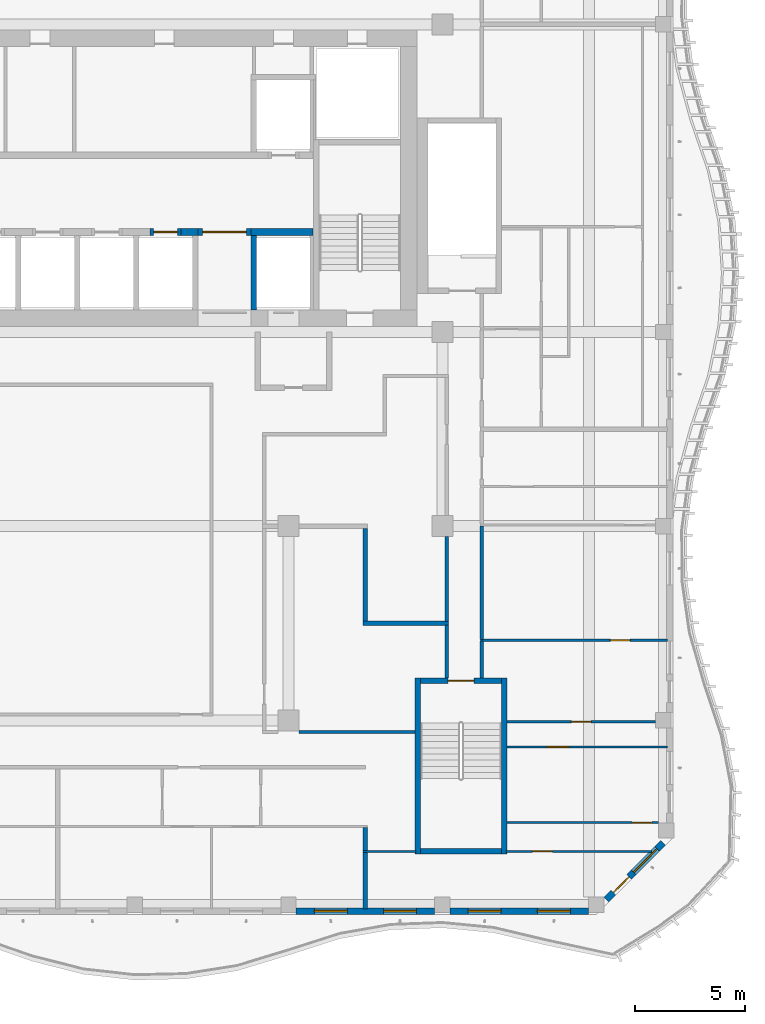
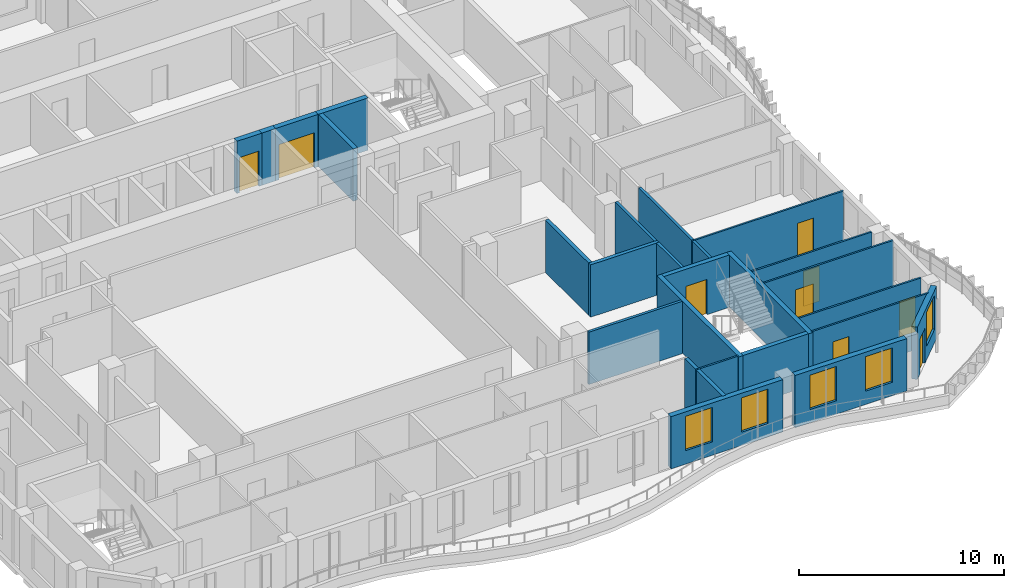
# One storey, part 5 of 18: 27 walls, 9 doors, 5 windows, 14 openings.
"""IFC4 building model written with IfcOpenShell, lengths in metres."""

from ifc_helpers import new_model, si_unit, direction, frame, frame_2d, origin, place, context, subcontext, project, spatial, rectangle, extrude, source, transform, mapped, material, layer, layer_set, type_object, element, fill, save


model = new_model("IFC4")

# Units and contexts
model_context = context("Model", 3, precision=1e-05, world=origin(), true_north=direction((0.0, 1.0)))
body_context = subcontext(model_context, "Body", "Model", "MODEL_VIEW")
ifc_project = project(units=[si_unit("LENGTHUNIT", "METRE"), si_unit("AREAUNIT", "SQUARE_METRE"), si_unit("VOLUMEUNIT", "CUBIC_METRE"), si_unit("PLANEANGLEUNIT", "RADIAN"), si_unit("MASSUNIT", "GRAM", prefix="KILO")], contexts=[model_context])

# Site, building, storey
site_placement = place(None, origin())
site = spatial("IfcSite", under=ifc_project, at=site_placement, CompositionType="ELEMENT")
building_placement = place(site_placement, origin())
building = spatial("IfcBuilding", under=site, at=building_placement, Name="Kilnfold Tower and Market Hall", CompositionType="ELEMENT")
storey_placement = place(building_placement, frame((0.0, 0.0, 256.0)))
storey = spatial("IfcBuildingStorey", under=building, at=storey_placement, Name="L62", CompositionType="ELEMENT", Elevation=256.0)

# Walls
ifc_material_1 = material(Name="Gypsum board on steel studs", Category="steel")
ifc_layer_1 = layer(ifc_material_1, 0.14990234375)
ifc_layer_set_1 = layer_set([ifc_layer_1], Name="Gypsum board on steel studs")
wall_type_1 = type_object("IfcWallType", Name="WALL CORRIDOR 150", PredefinedType="PARTITIONING", material=ifc_layer_set_1)
wall_1_placement = place(storey_placement, frame((20.800048828125, -7.75, 0.0), z_axis=(0.0, 0.0, 1.0), x_axis=(0.0, 1.0, 0.0)))
element("IfcWall", 1, at=wall_1_placement, inside=storey, type_object=wall_type_1, Name="Partition LY38.12", PredefinedType="PARTITIONING", context=body_context, shape_type="SweptSolid", body=[
    extrude(rectangle(XDim=1.68603515625, YDim=0.14990234375, at=frame_2d((0.843017578125, 0.0))), origin(), (0.0, 0.0, 1.0), 3.1201171875),
])
wall_2_placement = place(storey_placement, frame((20.800048828125, -5.98388671875, 0.0), z_axis=(0.0, 0.0, 1.0), x_axis=(0.0, 1.0, 0.0)))
element("IfcWall", 2, at=wall_2_placement, inside=storey, type_object=wall_type_1, Name="Partition LY38.13", PredefinedType="PARTITIONING", context=body_context, shape_type="SweptSolid", body=[
    extrude(rectangle(XDim=5.159912109375, YDim=0.14990234375, at=frame_2d((2.580078125, 0.0))), origin(), (0.0, 0.0, 1.0), 3.1201171875),
])
wall_3_placement = place(storey_placement, frame((19.199951171875, -7.75, 0.0), z_axis=(0.0, 0.0, 1.0), x_axis=(0.0, 1.0, 0.0)))
element("IfcWall", 3, at=wall_3_placement, inside=storey, type_object=wall_type_1, Name="Partition LY38.40", PredefinedType="PARTITIONING", context=body_context, shape_type="SweptSolid", body=[
    extrude(rectangle(XDim=2.409912109375, YDim=0.14990234375, at=frame_2d((1.205078125, 0.0))), origin(), (0.0, 0.0, 1.0), 3.1201171875),
])
wall_4_placement = place(storey_placement, frame((12.47509765625, -10.199951171875, 0.0), z_axis=(0.0, 0.0, 1.0), x_axis=(1.0, 0.0, 0.0)))
element("IfcWall", 4, at=wall_4_placement, inside=storey, type_object=wall_type_1, Name="Partition LY38.42", PredefinedType="PARTITIONING", context=body_context, shape_type="SweptSolid", body=[
    extrude(rectangle(XDim=5.27490234375, YDim=0.14990234375, at=frame_2d((2.637451171875, 0.0))), origin(), (0.0, 0.0, 1.0), 3.1201171875),
])
wall_5_placement = place(storey_placement, frame((19.199951171875, -5.159912109375, 0.0), z_axis=(0.0, 0.0, 1.0), x_axis=(0.0, 1.0, 0.0)))
element("IfcWall", 5, at=wall_5_placement, inside=storey, type_object=wall_type_1, Name="Partition LY38.44", PredefinedType="PARTITIONING", context=body_context, shape_type="SweptSolid", body=[
    extrude(rectangle(XDim=3.851806640625, YDim=0.14990234375, at=frame_2d((1.92578125, 0.0))), origin(), (0.0, 0.0, 1.0), 3.1201171875),
])

# Wall, opening, door
ifc_material_2 = material(Name="Gypsum board on steel studs", Category="steel")
ifc_layer_2 = layer(ifc_material_2, 0.10009765625)
ifc_layer_set_2 = layer_set([ifc_layer_2], Name="Gypsum board on steel studs")
wall_type_2 = type_object("IfcWallType", Name="WALL PARTITION 100", PredefinedType="PARTITIONING", material=ifc_layer_set_2)
wall_6_placement = place(storey_placement, frame((21.89990234375, -15.6298828125, 0.0), z_axis=(0.0, 0.0, 1.0), x_axis=(1.0, 0.0, 0.0)))
wall_6 = element("IfcWall", 6, at=wall_6_placement, inside=storey, type_object=wall_type_2, Name="Partition LY38.74", PredefinedType="PARTITIONING", context=body_context, shape_type="SweptSolid", body=[
    extrude(rectangle(XDim=6.6162109375, YDim=0.10009765625, at=frame_2d((3.30810546875, 0.0))), origin(), (0.0, 0.0, 1.0), 3.1201171875),
])
opening_1_placement = place(wall_6_placement, frame((1.202880859375, 0.0, 0.0)))
opening_1 = element("IfcOpeningElement", 7, at=opening_1_placement, cuts=wall_6, Name="Opening D2", PredefinedType="OPENING", context=body_context, shape_type="SweptSolid", body=[
    extrude(rectangle(XDim=0.89990234375, YDim=2.10009765625, at=frame_2d((0.449951171875, 1.050048828125))), frame((0.0, 0.06005859375, 0.0), z_axis=(0.0, -1.0, 0.0), x_axis=(1.0, 0.0, 0.0)), (0.0, 0.0, 1.0), 0.1201171875),
])
ifc_material_3 = material(Name="Timber veneer door leaf in steel frame", Category="steel")
door_type_1 = type_object("IfcDoorType", Name="DOOR ROOM 900 X2100", OperationType="NOTDEFINED", PredefinedType="DOOR", material=ifc_material_3)
door_1_placement = place(opening_1_placement, origin())
door_1 = element("IfcDoor", 8, at=door_1_placement, inside=storey, type_object=door_type_1, Name="Door D2", OperationType="SINGLE_SWING_LEFT", OverallHeight=2.10009765625, OverallWidth=0.89990234375, PredefinedType="DOOR", context=body_context, shape_type="SweptSolid", body=[
    extrude(rectangle(XDim=0.89990234375, YDim=2.10009765625, at=frame_2d((0.449951171875, 1.050048828125))), frame((0.0, 0.02490234375, 0.0), z_axis=(0.0, -1.0, 0.0), x_axis=(1.0, 0.0, 0.0)), (0.0, 0.0, 1.0), 0.050048828125),
])
fill(opening_1, door_1)

# Wall
wall_7_placement = place(storey_placement, frame((15.39990234375, -15.6298828125, 0.0), z_axis=(0.0, 0.0, 1.0), x_axis=(1.0, 0.0, 0.0)))
element("IfcWall", 9, at=wall_7_placement, inside=storey, type_object=wall_type_2, Name="Partition LY38.75", PredefinedType="PARTITIONING", context=body_context, shape_type="SweptSolid", body=[
    extrude(rectangle(XDim=2.400146484375, YDim=0.10009765625, at=frame_2d((1.2001953125, 0.0))), origin(), (0.0, 0.0, 1.0), 3.1201171875),
])

# Wall, opening, door
wall_8_placement = place(storey_placement, frame((28.83203125, -14.320068359375, 0.0), z_axis=(0.0, 0.0, 1.0), x_axis=(-1.0, 0.0, 0.0)))
wall_8 = element("IfcWall", 10, at=wall_8_placement, inside=storey, type_object=wall_type_2, Name="Partition LY38.76", PredefinedType="PARTITIONING", context=body_context, shape_type="SweptSolid", body=[
    extrude(rectangle(XDim=6.882080078125, YDim=0.10009765625, at=frame_2d((3.44091796875, 0.0))), origin(), (0.0, 0.0, 1.0), 3.1201171875),
])
opening_2_placement = place(wall_8_placement, frame((0.301025390625, 0.0, 0.0)))
opening_2 = element("IfcOpeningElement", 11, at=opening_2_placement, cuts=wall_8, Name="Opening D2", PredefinedType="OPENING", context=body_context, shape_type="SweptSolid", body=[
    extrude(rectangle(XDim=0.89990234375, YDim=2.10009765625, at=frame_2d((0.449951171875, 1.050048828125))), frame((0.0, 0.06005859375, 0.0), z_axis=(0.0, -1.0, 0.0), x_axis=(1.0, 0.0, 0.0)), (0.0, 0.0, 1.0), 0.1201171875),
])
door_2_placement = place(opening_2_placement, origin())
door_2 = element("IfcDoor", 12, at=door_2_placement, inside=storey, type_object=door_type_1, Name="Door D2", OperationType="SINGLE_SWING_LEFT", OverallHeight=2.10009765625, OverallWidth=0.89990234375, PredefinedType="DOOR", context=body_context, shape_type="SweptSolid", body=[
    extrude(rectangle(XDim=0.89990234375, YDim=2.10009765625, at=frame_2d((0.449951171875, 1.050048828125))), frame((0.0, 0.02490234375, 0.0), z_axis=(0.0, -1.0, 0.0), x_axis=(1.0, 0.0, 0.0)), (0.0, 0.0, 1.0), 0.050048828125),
])
fill(opening_2, door_2)

wall_9_placement = place(storey_placement, frame((29.25, -10.882080078125, 0.0), z_axis=(0.0, 0.0, 1.0), x_axis=(-1.0, 0.0, 0.0)))
wall_9 = element("IfcWall", 13, at=wall_9_placement, inside=storey, type_object=wall_type_2, Name="Partition LY38.77", PredefinedType="PARTITIONING", context=body_context, shape_type="SweptSolid", body=[
    extrude(rectangle(XDim=7.300048828125, YDim=0.10009765625, at=frame_2d((3.64990234375, 0.0))), origin(), (0.0, 0.0, 1.0), 3.1201171875),
])
opening_3_placement = place(wall_9_placement, frame((4.5, 0.0, 0.0)))
opening_3 = element("IfcOpeningElement", 14, at=opening_3_placement, cuts=wall_9, Name="Opening D1", PredefinedType="OPENING", context=body_context, shape_type="SweptSolid", body=[
    extrude(rectangle(XDim=1.0, YDim=2.10009765625, at=frame_2d((0.5, 1.050048828125))), frame((0.0, 0.06005859375, 0.0), z_axis=(0.0, -1.0, 0.0), x_axis=(1.0, 0.0, 0.0)), (0.0, 0.0, 1.0), 0.1201171875),
])
ifc_material_4 = material(Name="Timber veneer door leaf in steel frame", Category="steel")
door_type_2 = type_object("IfcDoorType", Name="DOOR ENTRY 1000 X2100", OperationType="NOTDEFINED", PredefinedType="DOOR", material=ifc_material_4)
door_3_placement = place(opening_3_placement, origin())
door_3 = element("IfcDoor", 15, at=door_3_placement, inside=storey, type_object=door_type_2, Name="Door D1", OperationType="SINGLE_SWING_LEFT", OverallHeight=2.10009765625, OverallWidth=1.0, PredefinedType="DOOR", context=body_context, shape_type="SweptSolid", body=[
    extrude(rectangle(XDim=1.0, YDim=2.10009765625, at=frame_2d((0.5, 1.050048828125))), frame((0.0, 0.02490234375, 0.0), z_axis=(0.0, -1.0, 0.0), x_axis=(1.0, 0.0, 0.0)), (0.0, 0.0, 1.0), 0.050048828125),
])
fill(opening_3, door_3)

wall_10_placement = place(storey_placement, frame((28.699951171875, -9.735107421875, 0.0), z_axis=(0.0, 0.0, 1.0), x_axis=(-1.0, 0.0, 0.0)))
wall_10 = element("IfcWall", 16, at=wall_10_placement, inside=storey, type_object=wall_type_2, Name="Partition LY38.78", PredefinedType="PARTITIONING", context=body_context, shape_type="SweptSolid", body=[
    extrude(rectangle(XDim=6.75, YDim=0.10009765625, at=frame_2d((3.375, 0.0))), origin(), (0.0, 0.0, 1.0), 3.1201171875),
])
opening_4_placement = place(wall_10_placement, frame((2.925048828125, 0.0, 0.0)))
opening_4 = element("IfcOpeningElement", 17, at=opening_4_placement, cuts=wall_10, Name="Opening D2", PredefinedType="OPENING", context=body_context, shape_type="SweptSolid", body=[
    extrude(rectangle(XDim=0.89990234375, YDim=2.10009765625, at=frame_2d((0.449951171875, 1.050048828125))), frame((0.0, 0.06005859375, 0.0), z_axis=(0.0, -1.0, 0.0), x_axis=(1.0, 0.0, 0.0)), (0.0, 0.0, 1.0), 0.1201171875),
])
door_4_placement = place(opening_4_placement, origin())
door_4 = element("IfcDoor", 18, at=door_4_placement, inside=storey, type_object=door_type_1, Name="Door D2", OperationType="SINGLE_SWING_LEFT", OverallHeight=2.10009765625, OverallWidth=0.89990234375, PredefinedType="DOOR", context=body_context, shape_type="SweptSolid", body=[
    extrude(rectangle(XDim=0.89990234375, YDim=2.10009765625, at=frame_2d((0.449951171875, 1.050048828125))), frame((0.0, 0.02490234375, 0.0), z_axis=(0.0, -1.0, 0.0), x_axis=(1.0, 0.0, 0.0)), (0.0, 0.0, 1.0), 0.050048828125),
])
fill(opening_4, door_4)

wall_11_placement = place(storey_placement, frame((29.25, -6.02392578125, 0.0), z_axis=(0.0, 0.0, 1.0), x_axis=(-1.0, 0.0, 0.0)))
wall_11 = element("IfcWall", 19, at=wall_11_placement, inside=storey, type_object=wall_type_2, Name="Partition LY38.79", PredefinedType="PARTITIONING", context=body_context, shape_type="SweptSolid", body=[
    extrude(rectangle(XDim=8.52294921875, YDim=0.10009765625, at=frame_2d((4.261474609375, 0.0))), origin(), (0.0, 0.0, 1.0), 3.1201171875),
])
opening_5_placement = place(wall_11_placement, frame((1.705078125, 0.0, 0.0)))
opening_5 = element("IfcOpeningElement", 20, at=opening_5_placement, cuts=wall_11, Name="Opening D2", PredefinedType="OPENING", context=body_context, shape_type="SweptSolid", body=[
    extrude(rectangle(XDim=0.89990234375, YDim=2.10009765625, at=frame_2d((0.449951171875, 1.050048828125))), frame((0.0, 0.06005859375, 0.0), z_axis=(0.0, -1.0, 0.0), x_axis=(1.0, 0.0, 0.0)), (0.0, 0.0, 1.0), 0.1201171875),
])
door_5_placement = place(opening_5_placement, origin())
door_5 = element("IfcDoor", 21, at=door_5_placement, inside=storey, type_object=door_type_1, Name="Door D2", OperationType="SINGLE_SWING_LEFT", OverallHeight=2.10009765625, OverallWidth=0.89990234375, PredefinedType="DOOR", context=body_context, shape_type="SweptSolid", body=[
    extrude(rectangle(XDim=0.89990234375, YDim=2.10009765625, at=frame_2d((0.449951171875, 1.050048828125))), frame((0.0, 0.02490234375, 0.0), z_axis=(0.0, -1.0, 0.0), x_axis=(1.0, 0.0, 0.0)), (0.0, 0.0, 1.0), 0.050048828125),
])
fill(opening_5, door_5)

# Walls
ifc_material_5 = material(Name="Gypsum board on steel studs", Category="steel")
ifc_layer_3 = layer(ifc_material_5, 0.199951171875)
ifc_layer_set_3 = layer_set([ifc_layer_3], Name="Gypsum board on steel studs")
wall_type_3 = type_object("IfcWallType", Name="WALL PARTY 200", PredefinedType="PARTITIONING", material=ifc_layer_set_3)
wall_12_placement = place(storey_placement, frame((15.5, -18.25, 0.0), z_axis=(0.0, 0.0, 1.0), x_axis=(0.0, 1.0, 0.0)))
element("IfcWall", 22, at=wall_12_placement, inside=storey, type_object=wall_type_3, Name="Partition LY38.72", PredefinedType="PARTITIONING", context=body_context, shape_type="SweptSolid", body=[
    extrude(rectangle(XDim=2.580078125, YDim=0.199951171875, at=frame_2d((1.2900390625, 0.0))), origin(), (0.0, 0.0, 1.0), 3.1201171875),
])
wall_13_placement = place(storey_placement, frame((15.5, -15.590087890625, 0.0), z_axis=(0.0, 0.0, 1.0), x_axis=(0.0, 1.0, 0.0)))
element("IfcWall", 23, at=wall_13_placement, inside=storey, type_object=wall_type_3, Name="Partition LY38.73", PredefinedType="PARTITIONING", context=body_context, shape_type="SweptSolid", body=[
    extrude(rectangle(XDim=1.0380859375, YDim=0.199951171875, at=frame_2d((0.51904296875, 0.0))), origin(), (0.0, 0.0, 1.0), 3.1201171875),
])
wall_14_placement = place(storey_placement, frame((15.5, -5.14990234375, 0.0), z_axis=(0.0, 0.0, 1.0), x_axis=(0.0, 1.0, 0.0)))
element("IfcWall", 24, at=wall_14_placement, inside=storey, type_object=wall_type_3, Name="Partition LY38.111", PredefinedType="PARTITIONING", context=body_context, shape_type="SweptSolid", body=[
    extrude(rectangle(XDim=4.216796875, YDim=0.199951171875, at=frame_2d((2.1083984375, 0.0))), origin(), (0.0, 0.0, 1.0), 3.1201171875),
])
wall_15_placement = place(storey_placement, frame((15.39990234375, -5.25, 0.0), z_axis=(0.0, 0.0, 1.0), x_axis=(1.0, 0.0, 0.0)))
element("IfcWall", 25, at=wall_15_placement, inside=storey, type_object=wall_type_3, Name="Partition LY38.112", PredefinedType="PARTITIONING", context=body_context, shape_type="SweptSolid", body=[
    extrude(rectangle(XDim=3.873046875, YDim=0.199951171875, at=frame_2d((1.9365234375, 0.0))), origin(), (0.0, 0.0, 1.0), 3.1201171875),
])
ifc_material_6 = material(Name="Concrete C60", Category="concrete")
ifc_layer_4 = layer(ifc_material_6, 0.25)
ifc_layer_set_4 = layer_set([ifc_layer_4], Name="Concrete C60")
wall_type_4 = type_object("IfcWallType", Name="CORE WALL 250 C60", PredefinedType="SHEAR", material=ifc_layer_set_4)
shared_shape_1 = source(origin(), body_context, "Body", "SweptSolid", [
    extrude(rectangle(XDim=3.699951171875, YDim=0.25, at=frame_2d((1.85009765625, 0.0))), origin(), (0.0, 0.0, 1.0), 3.1201171875),
])
wall_16_placement = place(storey_placement, frame((18.0, -15.625, 0.0), z_axis=(0.0, 0.0, 1.0), x_axis=(1.0, 0.0, 0.0)))
element("IfcWall", 26, at=wall_16_placement, inside=storey, type_object=wall_type_4, Name="Stair enclosure ST4", PredefinedType="SHEAR", context=body_context, shape_type="MappedRepresentation", body=[
    mapped(shared_shape_1, transform((0.0, 0.0, 0.0))),
])

# Wall, opening, door
wall_17_placement = place(storey_placement, frame((18.0, -7.875, 0.0), z_axis=(0.0, 0.0, 1.0), x_axis=(1.0, 0.0, 0.0)))
wall_17 = element("IfcWall", 27, at=wall_17_placement, inside=storey, type_object=wall_type_4, Name="Stair enclosure ST4", PredefinedType="SHEAR", context=body_context, shape_type="MappedRepresentation", body=[
    mapped(shared_shape_1, transform((0.0, 0.0, 0.0))),
])
opening_6_placement = place(wall_17_placement, frame((1.25, 0.0, 0.0)))
opening_6 = element("IfcOpeningElement", 28, at=opening_6_placement, cuts=wall_17, Name="Opening SD1", PredefinedType="OPENING", context=body_context, shape_type="SweptSolid", body=[
    extrude(rectangle(XDim=1.199951171875, YDim=2.10009765625, at=frame_2d((0.60009765625, 1.050048828125))), frame((0.0, 0.135009765625, 0.0), z_axis=(0.0, -1.0, 0.0), x_axis=(1.0, 0.0, 0.0)), (0.0, 0.0, 1.0), 0.27001953125),
])
ifc_material_7 = material(Name="Steel door set with fire-resisting leaf", Category="steel")
door_type_3 = type_object("IfcDoorType", Name="STAIR FLOOR DOOR 1200X2100", OperationType="NOTDEFINED", PredefinedType="DOOR", material=ifc_material_7)
door_6_placement = place(opening_6_placement, origin())
door_6 = element("IfcDoor", 29, at=door_6_placement, inside=storey, type_object=door_type_3, Name="Exit stair ST4 door", OperationType="DOUBLE_DOOR_SINGLE_SWING", OverallHeight=2.10009765625, OverallWidth=1.199951171875, PredefinedType="DOOR", context=body_context, shape_type="SweptSolid", body=[
    extrude(rectangle(XDim=1.199951171875, YDim=2.10009765625, at=frame_2d((0.60009765625, 1.050048828125))), frame((0.0, 0.02490234375, 0.0), z_axis=(0.0, -1.0, 0.0), x_axis=(1.0, 0.0, 0.0)), (0.0, 0.0, 1.0), 0.050048828125),
])
fill(opening_6, door_6)

# Walls
shared_shape_2 = source(origin(), body_context, "Body", "SweptSolid", [
    extrude(rectangle(XDim=8.0, YDim=0.25, at=frame_2d((4.0, 0.0))), origin(), (0.0, 0.0, 1.0), 3.1201171875),
])
for number, where, z_axis, x_axis, name in (
    (30, (17.875, -15.75, 0.0), (0.0, 0.0, 1.0), (0.0, 1.0, 0.0), "Stair enclosure ST4"),
    (31, (21.824951171875, -15.75, 0.0), (0.0, 0.0, 1.0), (0.0, 1.0, 0.0), "Stair enclosure ST4"),
):
    element("IfcWall", number, at=place(storey_placement, frame(where, z_axis=z_axis, x_axis=x_axis)), inside=storey, type_object=wall_type_4, Name=name, PredefinedType="SHEAR", context=body_context, shape_type="MappedRepresentation", body=[
        mapped(shared_shape_2, transform((0.0, 0.0, 0.0))),
    ])
ifc_material_8 = material(Name="Concrete C60", Category="concrete")
ifc_layer_5 = layer(ifc_material_8, 0.300048828125)
ifc_layer_set_5 = layer_set([ifc_layer_5], Name="Concrete C60")
wall_type_5 = type_object("IfcWallType", Name="CORE WALL 300 C60", PredefinedType="SHEAR", material=ifc_layer_set_5)
shared_shape_3 = source(origin(), body_context, "Body", "SweptSolid", [
    extrude(rectangle(XDim=0.77978515625, YDim=0.300048828125, at=frame_2d((0.389892578125, 0.0))), origin(), (0.0, 0.0, 1.0), 3.1201171875),
])
wall_18_placement = place(storey_placement, frame((7.110107421875, 12.550048828125, 0.0), z_axis=(0.0, 0.0, 1.0), x_axis=(1.0, 0.0, 0.0)))
element("IfcWall", 32, at=wall_18_placement, inside=storey, type_object=wall_type_5, Name="Core spine wall", PredefinedType="SHEAR", context=body_context, shape_type="MappedRepresentation", body=[
    mapped(shared_shape_3, transform((0.0, 0.0, 0.0))),
])
shared_shape_4 = source(origin(), body_context, "Body", "SweptSolid", [
    extrude(rectangle(XDim=2.820068359375, YDim=0.300048828125, at=frame_2d((1.41015625, 0.0))), origin(), (0.0, 0.0, 1.0), 3.1201171875),
])
wall_19_placement = place(storey_placement, frame((10.2900390625, 12.550048828125, 0.0), z_axis=(0.0, 0.0, 1.0), x_axis=(1.0, 0.0, 0.0)))
element("IfcWall", 33, at=wall_19_placement, inside=storey, type_object=wall_type_5, Name="Core spine wall", PredefinedType="SHEAR", context=body_context, shape_type="MappedRepresentation", body=[
    mapped(shared_shape_4, transform((0.0, 0.0, 0.0))),
])

# Wall, openings, windows
ifc_material_9 = material(Name="Precast concrete C50/60", Category="concrete")
ifc_layer_6 = layer(ifc_material_9, 0.300048828125)
ifc_layer_set_6 = layer_set([ifc_layer_6], Name="Precast concrete C50/60")
wall_type_6 = type_object("IfcWallType", Name="PRECAST WALL 300", PredefinedType="SOLIDWALL", material=ifc_layer_set_6)
shared_shape_5 = source(origin(), body_context, "Body", "SweptSolid", [
    extrude(rectangle(XDim=6.2998046875, YDim=0.300048828125, at=frame_2d((3.14990234375, 0.0))), origin(), (0.0, 0.0, 1.0), 3.1201171875),
])
wall_20_placement = place(storey_placement, frame((12.35009765625, -18.35009765625, 0.0), z_axis=(0.0, 0.0, 1.0), x_axis=(1.0, 0.0, 0.0)))
wall_20 = element("IfcWall", 34, at=wall_20_placement, inside=storey, type_object=wall_type_6, Name="External wall L62 S", PredefinedType="SOLIDWALL", context=body_context, shape_type="MappedRepresentation", body=[
    mapped(shared_shape_5, transform((0.0, 0.0, 0.0))),
])
opening_7_placement = place(wall_20_placement, frame((0.824951171875, 0.0, 0.800048828125)))
opening_7 = element("IfcOpeningElement", 35, at=opening_7_placement, cuts=wall_20, Name="Opening W5", PredefinedType="OPENING", context=body_context, shape_type="SweptSolid", body=[
    extrude(rectangle(XDim=1.5, YDim=2.050048828125, at=frame_2d((0.75, 1.02490234375))), frame((0.0, 0.16015625, 0.0), z_axis=(0.0, -1.0, 0.0), x_axis=(1.0, 0.0, 0.0)), (0.0, 0.0, 1.0), 0.320068359375),
])
opening_8_placement = place(wall_20_placement, frame((3.97509765625, 0.0, 0.800048828125)))
opening_8 = element("IfcOpeningElement", 36, at=opening_8_placement, cuts=wall_20, Name="Opening W5", PredefinedType="OPENING", context=body_context, shape_type="SweptSolid", body=[
    extrude(rectangle(XDim=1.5, YDim=2.050048828125, at=frame_2d((0.75, 1.02490234375))), frame((0.0, 0.16015625, 0.0), z_axis=(0.0, -1.0, 0.0), x_axis=(1.0, 0.0, 0.0)), (0.0, 0.0, 1.0), 0.320068359375),
])
ifc_material_10 = material(Name="Aluminium frame and double glazing", Category="aluminium")
window_type = type_object("IfcWindowType", Name="WINDOW W5 1500X2050", PartitioningType="SINGLE_PANEL", PredefinedType="WINDOW", material=ifc_material_10)
window_1_placement = place(opening_7_placement, origin())
window_1 = element("IfcWindow", 37, at=window_1_placement, inside=storey, type_object=window_type, Name="Window W5 L62 S-1", OverallHeight=2.050048828125, OverallWidth=1.5, PartitioningType="SINGLE_PANEL", PredefinedType="WINDOW", context=body_context, shape_type="SweptSolid", body=[
    extrude(rectangle(XDim=1.5, YDim=2.050048828125, at=frame_2d((0.75, 1.02490234375))), frame((0.0, 0.030029296875, 0.0), z_axis=(0.0, -1.0, 0.0), x_axis=(1.0, 0.0, 0.0)), (0.0, 0.0, 1.0), 0.06005859375),
])
fill(opening_7, window_1)
window_2_placement = place(opening_8_placement, origin())
window_2 = element("IfcWindow", 38, at=window_2_placement, inside=storey, type_object=window_type, Name="Window W5 L62 S-2", OverallHeight=2.050048828125, OverallWidth=1.5, PartitioningType="SINGLE_PANEL", PredefinedType="WINDOW", context=body_context, shape_type="SweptSolid", body=[
    extrude(rectangle(XDim=1.5, YDim=2.050048828125, at=frame_2d((0.75, 1.02490234375))), frame((0.0, 0.030029296875, 0.0), z_axis=(0.0, -1.0, 0.0), x_axis=(1.0, 0.0, 0.0)), (0.0, 0.0, 1.0), 0.06005859375),
])
fill(opening_8, window_2)

wall_21_placement = place(storey_placement, frame((19.35009765625, -18.35009765625, 0.0), z_axis=(0.0, 0.0, 1.0), x_axis=(1.0, 0.0, 0.0)))
wall_21 = element("IfcWall", 39, at=wall_21_placement, inside=storey, type_object=wall_type_6, Name="External wall L62 S", PredefinedType="SOLIDWALL", context=body_context, shape_type="MappedRepresentation", body=[
    mapped(shared_shape_5, transform((0.0, 0.0, 0.0))),
])
opening_9_placement = place(wall_21_placement, frame((0.824951171875, 0.0, 0.800048828125)))
opening_9 = element("IfcOpeningElement", 40, at=opening_9_placement, cuts=wall_21, Name="Opening W5", PredefinedType="OPENING", context=body_context, shape_type="SweptSolid", body=[
    extrude(rectangle(XDim=1.5, YDim=2.050048828125, at=frame_2d((0.75, 1.02490234375))), frame((0.0, 0.16015625, 0.0), z_axis=(0.0, -1.0, 0.0), x_axis=(1.0, 0.0, 0.0)), (0.0, 0.0, 1.0), 0.320068359375),
])
opening_10_placement = place(wall_21_placement, frame((3.97509765625, 0.0, 0.800048828125)))
opening_10 = element("IfcOpeningElement", 41, at=opening_10_placement, cuts=wall_21, Name="Opening W5", PredefinedType="OPENING", context=body_context, shape_type="SweptSolid", body=[
    extrude(rectangle(XDim=1.5, YDim=2.050048828125, at=frame_2d((0.75, 1.02490234375))), frame((0.0, 0.16015625, 0.0), z_axis=(0.0, -1.0, 0.0), x_axis=(1.0, 0.0, 0.0)), (0.0, 0.0, 1.0), 0.320068359375),
])
window_3_placement = place(opening_9_placement, origin())
window_3 = element("IfcWindow", 42, at=window_3_placement, inside=storey, type_object=window_type, Name="Window W5 L62 S-1", OverallHeight=2.050048828125, OverallWidth=1.5, PartitioningType="SINGLE_PANEL", PredefinedType="WINDOW", context=body_context, shape_type="SweptSolid", body=[
    extrude(rectangle(XDim=1.5, YDim=2.050048828125, at=frame_2d((0.75, 1.02490234375))), frame((0.0, 0.030029296875, 0.0), z_axis=(0.0, -1.0, 0.0), x_axis=(1.0, 0.0, 0.0)), (0.0, 0.0, 1.0), 0.06005859375),
])
fill(opening_9, window_3)
window_4_placement = place(opening_10_placement, origin())
window_4 = element("IfcWindow", 43, at=window_4_placement, inside=storey, type_object=window_type, Name="Window W5 L62 S-2", OverallHeight=2.050048828125, OverallWidth=1.5, PartitioningType="SINGLE_PANEL", PredefinedType="WINDOW", context=body_context, shape_type="SweptSolid", body=[
    extrude(rectangle(XDim=1.5, YDim=2.050048828125, at=frame_2d((0.75, 1.02490234375))), frame((0.0, 0.030029296875, 0.0), z_axis=(0.0, -1.0, 0.0), x_axis=(1.0, 0.0, 0.0)), (0.0, 0.0, 1.0), 0.06005859375),
])
fill(opening_10, window_4)

# Wall, openings, door, window
shared_shape_6 = source(origin(), body_context, "Body", "SweptSolid", [
    extrude(rectangle(XDim=3.6416015625, YDim=0.300048828125, at=frame_2d((1.82080078125, 0.0))), origin(), (0.0, 0.0, 1.0), 3.1201171875),
])
wall_22_placement = place(storey_placement, frame((26.468994140625, -17.81884765625, 0.0), z_axis=(0.0, 0.0, 1.0), x_axis=(0.707106781187, 0.707106781187, 0.0)))
wall_22 = element("IfcWall", 44, at=wall_22_placement, inside=storey, type_object=wall_type_6, Name="External wall L62 SE", PredefinedType="SOLIDWALL", context=body_context, shape_type="MappedRepresentation", body=[
    mapped(shared_shape_6, transform((0.0, 0.0, 0.0))),
])
opening_11_placement = place(wall_22_placement, frame((1.75, 0.0, 0.800048828125)))
opening_11 = element("IfcOpeningElement", 45, at=opening_11_placement, cuts=wall_22, Name="Opening W5", PredefinedType="OPENING", context=body_context, shape_type="SweptSolid", body=[
    extrude(rectangle(XDim=1.5, YDim=2.050048828125, at=frame_2d((0.75, 1.02490234375))), frame((0.0, 0.16015625, 0.0), z_axis=(0.0, -1.0, 0.0), x_axis=(1.0, 0.0, 0.0)), (0.0, 0.0, 1.0), 0.320068359375),
])
opening_12_placement = place(wall_22_placement, frame((0.449951171875, 0.0, 0.0)))
opening_12 = element("IfcOpeningElement", 46, at=opening_12_placement, cuts=wall_22, Name="Opening BD1", PredefinedType="OPENING", context=body_context, shape_type="SweptSolid", body=[
    extrude(rectangle(XDim=1.0, YDim=2.10009765625, at=frame_2d((0.5, 1.050048828125))), frame((0.0, 0.16015625, 0.0), z_axis=(0.0, -1.0, 0.0), x_axis=(1.0, 0.0, 0.0)), (0.0, 0.0, 1.0), 0.320068359375),
])
ifc_material_11 = material(Name="Aluminium frame and double glazing", Category="aluminium")
door_type_4 = type_object("IfcDoorType", Name="BALCONY DOOR 1000X2100", OperationType="NOTDEFINED", PredefinedType="DOOR", material=ifc_material_11)
door_7_placement = place(opening_12_placement, origin())
door_7 = element("IfcDoor", 47, at=door_7_placement, inside=storey, type_object=door_type_4, Name="Balcony door BD1 L62 SE-1", OperationType="SINGLE_SWING_LEFT", OverallHeight=2.10009765625, OverallWidth=1.0, PredefinedType="DOOR", context=body_context, shape_type="SweptSolid", body=[
    extrude(rectangle(XDim=1.0, YDim=2.10009765625, at=frame_2d((0.5, 1.050048828125))), frame((0.0, 0.02490234375, 0.0), z_axis=(0.0, -1.0, 0.0), x_axis=(1.0, 0.0, 0.0)), (0.0, 0.0, 1.0), 0.050048828125),
])
fill(opening_12, door_7)
window_5_placement = place(opening_11_placement, origin())
window_5 = element("IfcWindow", 48, at=window_5_placement, inside=storey, type_object=window_type, Name="Window W5 L62 SE-1", OverallHeight=2.050048828125, OverallWidth=1.5, PartitioningType="SINGLE_PANEL", PredefinedType="WINDOW", context=body_context, shape_type="SweptSolid", body=[
    extrude(rectangle(XDim=1.5, YDim=2.050048828125, at=frame_2d((0.75, 1.02490234375))), frame((0.0, 0.030029296875, 0.0), z_axis=(0.0, -1.0, 0.0), x_axis=(1.0, 0.0, 0.0)), (0.0, 0.0, 1.0), 0.06005859375),
])
fill(opening_11, window_5)

# Wall, opening, door
ifc_material_12 = material(Name="Gypsum shaft wall system")
ifc_layer_7 = layer(ifc_material_12, 0.300048828125)
ifc_layer_set_7 = layer_set([ifc_layer_7], Name="Gypsum shaft wall system")
wall_type_7 = type_object("IfcWallType", Name="SHAFT WALL 300", PredefinedType="PARTITIONING", material=ifc_layer_set_7)
shared_shape_7 = source(origin(), body_context, "Body", "SweptSolid", [
    extrude(rectangle(XDim=1.400146484375, YDim=0.300048828125, at=frame_2d((0.7001953125, 0.0))), origin(), (0.0, 0.0, 1.0), 3.1201171875),
])
wall_23_placement = place(storey_placement, frame((5.7099609375, 12.550048828125, 0.0), z_axis=(0.0, 0.0, 1.0), x_axis=(1.0, 0.0, 0.0)))
wall_23 = element("IfcWall", 49, at=wall_23_placement, inside=storey, type_object=wall_type_7, Name="Lift shaft front wall", PredefinedType="PARTITIONING", context=body_context, shape_type="MappedRepresentation", body=[
    mapped(shared_shape_7, transform((0.0, 0.0, 0.0))),
])
opening_13_placement = place(wall_23_placement, frame((0.14990234375, 0.0, 0.0)))
opening_13 = element("IfcOpeningElement", 50, at=opening_13_placement, cuts=wall_23, Name="Opening LD2", PredefinedType="OPENING", context=body_context, shape_type="SweptSolid", body=[
    extrude(rectangle(XDim=1.10009765625, YDim=2.10009765625, at=frame_2d((0.550048828125, 1.050048828125))), frame((0.0, 0.16015625, 0.0), z_axis=(0.0, -1.0, 0.0), x_axis=(1.0, 0.0, 0.0)), (0.0, 0.0, 1.0), 0.320068359375),
])
ifc_material_13 = material(Name="Steel door set with fire-resisting leaf", Category="steel")
door_type_5 = type_object("IfcDoorType", Name="LANDING DOOR 1100X2100", OperationType="NOTDEFINED", PredefinedType="DOOR", material=ifc_material_13)
door_8_placement = place(opening_13_placement, origin())
door_8 = element("IfcDoor", 51, at=door_8_placement, inside=storey, type_object=door_type_5, Name="Landing door HR5", OperationType="DOUBLE_DOOR_SLIDING", OverallHeight=2.10009765625, OverallWidth=1.10009765625, PredefinedType="DOOR", context=body_context, shape_type="SweptSolid", body=[
    extrude(rectangle(XDim=1.10009765625, YDim=2.10009765625, at=frame_2d((0.550048828125, 1.050048828125))), frame((0.0, 0.02490234375, 0.0), z_axis=(0.0, -1.0, 0.0), x_axis=(1.0, 0.0, 0.0)), (0.0, 0.0, 1.0), 0.050048828125),
])
fill(opening_13, door_8)

shared_shape_8 = source(origin(), body_context, "Body", "SweptSolid", [
    extrude(rectangle(XDim=2.400146484375, YDim=0.300048828125, at=frame_2d((1.2001953125, 0.0))), origin(), (0.0, 0.0, 1.0), 3.1201171875),
])
wall_24_placement = place(storey_placement, frame((7.889892578125, 12.550048828125, 0.0), z_axis=(0.0, 0.0, 1.0), x_axis=(1.0, 0.0, 0.0)))
wall_24 = element("IfcWall", 52, at=wall_24_placement, inside=storey, type_object=wall_type_7, Name="Lift shaft front wall", PredefinedType="PARTITIONING", context=body_context, shape_type="MappedRepresentation", body=[
    mapped(shared_shape_8, transform((0.0, 0.0, 0.0))),
])
opening_14_placement = place(wall_24_placement, frame((0.199951171875, 0.0, 0.0)))
opening_14 = element("IfcOpeningElement", 53, at=opening_14_placement, cuts=wall_24, Name="Opening VD2", PredefinedType="OPENING", context=body_context, shape_type="SweptSolid", body=[
    extrude(rectangle(XDim=2.0, YDim=2.10009765625, at=frame_2d((1.0, 1.050048828125))), frame((0.0, 0.16015625, 0.0), z_axis=(0.0, -1.0, 0.0), x_axis=(1.0, 0.0, 0.0)), (0.0, 0.0, 1.0), 0.320068359375),
])
ifc_material_14 = material(Name="Steel door set with fire-resisting leaf", Category="steel")
door_type_6 = type_object("IfcDoorType", Name="LIFT LOBBY ENTRANCE DOOR 2000X2100", OperationType="NOTDEFINED", PredefinedType="DOOR", material=ifc_material_14)
door_9_placement = place(opening_14_placement, origin())
door_9 = element("IfcDoor", 54, at=door_9_placement, inside=storey, type_object=door_type_6, Name="Lift lobby entrance door", OperationType="DOUBLE_DOOR_SINGLE_SWING", OverallHeight=2.10009765625, OverallWidth=2.0, PredefinedType="DOOR", context=body_context, shape_type="SweptSolid", body=[
    extrude(rectangle(XDim=2.0, YDim=2.10009765625, at=frame_2d((1.0, 1.050048828125))), frame((0.0, 0.02490234375, 0.0), z_axis=(0.0, -1.0, 0.0), x_axis=(1.0, 0.0, 0.0)), (0.0, 0.0, 1.0), 0.050048828125),
])
fill(opening_14, door_9)

# Wall
ifc_material_15 = material(Name="Gypsum shaft wall system")
ifc_layer_8 = layer(ifc_material_15, 0.25)
ifc_layer_set_8 = layer_set([ifc_layer_8], Name="Gypsum shaft wall system")
wall_type_8 = type_object("IfcWallType", Name="SHAFT WALL 250", PredefinedType="PARTITIONING", material=ifc_layer_set_8)
shared_shape_9 = source(origin(), body_context, "Body", "SweptSolid", [
    extrude(rectangle(XDim=3.39990234375, YDim=0.25, at=frame_2d((1.699951171875, 0.0))), origin(), (0.0, 0.0, 1.0), 3.1201171875),
])
wall_25_placement = place(storey_placement, frame((10.429931640625, 9.0, 0.0), z_axis=(0.0, 0.0, 1.0), x_axis=(0.0, 1.0, 0.0)))
element("IfcWall", 55, at=wall_25_placement, inside=storey, type_object=wall_type_8, Name="Lift shaft wall", PredefinedType="PARTITIONING", context=body_context, shape_type="MappedRepresentation", body=[
    mapped(shared_shape_9, transform((0.0, 0.0, 0.0))),
])

save(model, "model.ifc")
